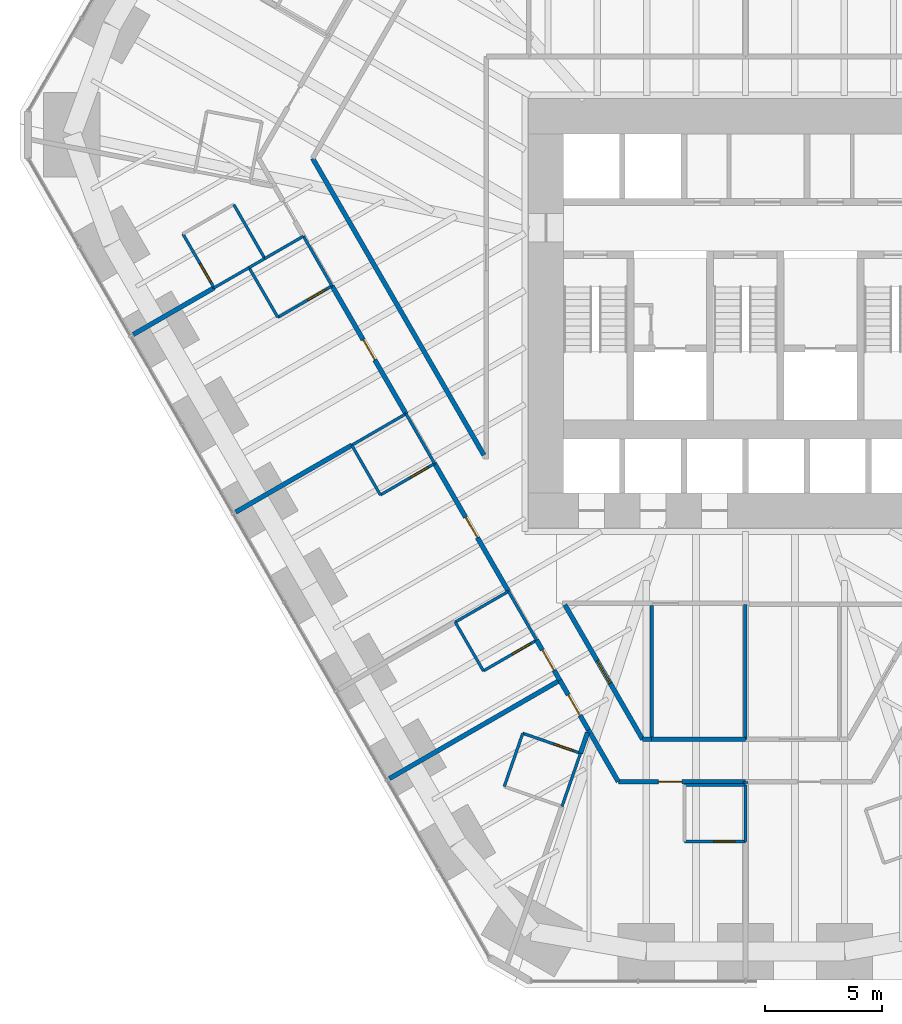
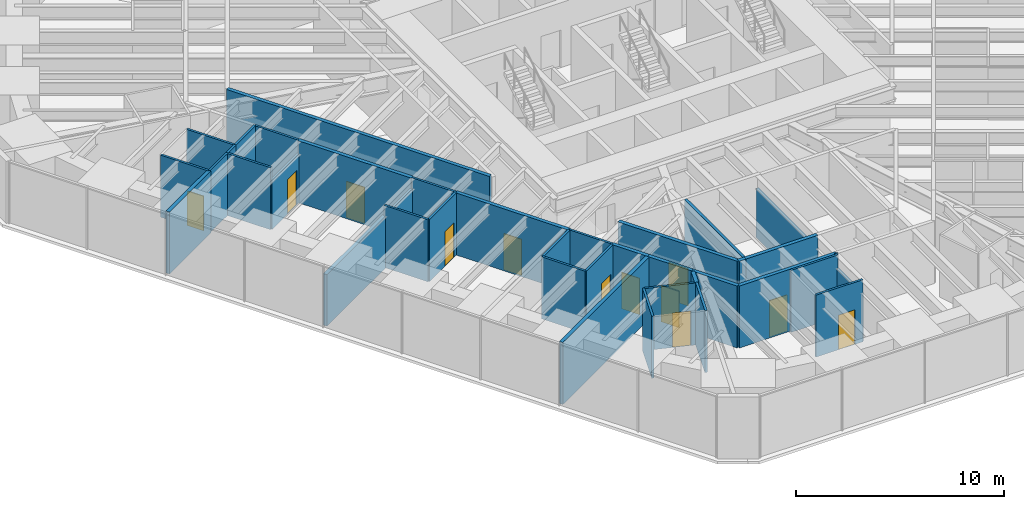
# One storey, part 11 of 17: 39 walls, 12 doors, 12 openings.
"""IFC4 building model written with IfcOpenShell, lengths in metres."""

from ifc_helpers import new_model, si_unit, direction, frame, frame_2d, origin, place, context, subcontext, project, spatial, rectangle, extrude, material, layer, layer_set, type_object, element, fill, save


model = new_model("IFC4")

# Units and contexts
model_context = context("Model", 3, precision=1e-05, world=origin(), true_north=direction((0.0, 1.0)))
body_context = subcontext(model_context, "Body", "Model", "MODEL_VIEW")
ifc_project = project(units=[si_unit("LENGTHUNIT", "METRE"), si_unit("AREAUNIT", "SQUARE_METRE"), si_unit("VOLUMEUNIT", "CUBIC_METRE"), si_unit("PLANEANGLEUNIT", "RADIAN"), si_unit("MASSUNIT", "GRAM", prefix="KILO")], contexts=[model_context])

# Site, building, storey
site_placement = place(None, origin())
site = spatial("IfcSite", under=ifc_project, at=site_placement, CompositionType="ELEMENT")
building_placement = place(site_placement, origin())
building = spatial("IfcBuilding", under=site, at=building_placement, Name="Sandreach Pilgrim Tower", CompositionType="ELEMENT")
storey_placement = place(building_placement, frame((0.0, 0.0, 53.39990234375)))
storey = spatial("IfcBuildingStorey", under=building, at=storey_placement, Name="L12", CompositionType="ELEMENT", Elevation=53.39990234375)

# Walls
ifc_material_1 = material(Name="Gypsum board on steel studs", Category="steel")
ifc_layer_1 = layer(ifc_material_1, 0.14990234375)
ifc_layer_set_1 = layer_set([ifc_layer_1], Name="Back of house wall 150")
wall_type_1 = type_object("IfcWallType", Name="Back of house wall 150", PredefinedType="PARTITIONING", material=ifc_layer_set_1)
wall_1_placement = place(storey_placement, frame((-4.0, -14.0, 0.0), z_axis=(0.0, 0.0, 1.0), x_axis=(0.0, -1.0, 0.0)))
element("IfcWall", 1, at=wall_1_placement, inside=storey, type_object=wall_type_1, Name="Back of house wall L12-067", PredefinedType="PARTITIONING", context=body_context, shape_type="SweptSolid", body=[
    extrude(rectangle(XDim=5.7099609375, YDim=0.14990234375, at=frame_2d((2.85498046875, 0.0))), origin(), (0.0, 0.0, 1.0), 3.64013671875),
])
wall_2_placement = place(storey_placement, frame((0.0, -13.949951171875, 0.0), z_axis=(0.0, 0.0, 1.0), x_axis=(0.0, -1.0, 0.0)))
element("IfcWall", 2, at=wall_2_placement, inside=storey, type_object=wall_type_1, Name="Back of house wall L12-078", PredefinedType="PARTITIONING", context=body_context, shape_type="SweptSolid", body=[
    extrude(rectangle(XDim=5.760009765625, YDim=0.14990234375, at=frame_2d((2.8798828125, 0.0))), origin(), (0.0, 0.0, 1.0), 2.8603515625),
])

# Wall, opening, door
ifc_material_2 = material(Name="Moisture-resistant gypsum board on steel studs", Category="steel")
ifc_layer_2 = layer(ifc_material_2, 0.1201171875)
ifc_layer_set_2 = layer_set([ifc_layer_2], Name="Bathroom partition 120")
wall_type_2 = type_object("IfcWallType", Name="Bathroom partition 120", PredefinedType="PARTITIONING", material=ifc_layer_set_2)
wall_3_placement = place(storey_placement, frame((-23.97998046875, 1.840087890625, 0.0), z_axis=(0.0, 0.0, 1.0), x_axis=(0.500605174168, -0.865675724273, 0.0)))
wall_3 = element("IfcWall", 3, at=wall_3_placement, inside=storey, type_object=wall_type_2, Name="Bathroom partition L12-004", PredefinedType="PARTITIONING", context=body_context, shape_type="SweptSolid", body=[
    extrude(rectangle(XDim=2.656982421875, YDim=0.1201171875, at=frame_2d((1.32861328125, 0.0))), origin(), (0.0, 0.0, 1.0), 3.64013671875),
])
opening_1_placement = place(wall_3_placement, frame((1.456787109375, 0.0, 0.0)))
opening_1 = element("IfcOpeningElement", 4, at=opening_1_placement, cuts=wall_3, Name="Opening D09-18B", PredefinedType="OPENING", context=body_context, shape_type="SweptSolid", body=[
    extrude(rectangle(XDim=0.89990234375, YDim=2.030029296875, at=frame_2d((0.449951171875, 1.01513671875))), frame((0.0, 0.06005859375, 0.0), z_axis=(0.0, -1.0, 0.0), x_axis=(1.0, 0.0, 0.0)), (0.0, 0.0, 1.0), 0.1201171875),
])
ifc_material_3 = material(Name="Timber door, steel frame", Category="steel")
door_type_1 = type_object("IfcDoorType", Name="Bathroom door", OperationType="SINGLE_SWING_LEFT", PredefinedType="DOOR", material=ifc_material_3)
door_1_placement = place(opening_1_placement, origin())
door_1 = element("IfcDoor", 5, at=door_1_placement, inside=storey, type_object=door_type_1, Name="Door 1218B", OperationType="SINGLE_SWING_RIGHT", OverallHeight=2.030029296875, OverallWidth=0.89990234375, PredefinedType="DOOR", context=body_context, shape_type="SweptSolid", body=[
    extrude(rectangle(XDim=0.89990234375, YDim=2.030029296875, at=frame_2d((0.449951171875, 1.01513671875))), frame((0.0, 0.02490234375, 0.0), z_axis=(0.0, -1.0, 0.0), x_axis=(1.0, 0.0, 0.0)), (0.0, 0.0, 1.0), 0.050048828125),
])
fill(opening_1, door_1)

# Walls
wall_4_placement = place(storey_placement, frame((-22.64990234375, -0.460205078125, 0.0), z_axis=(0.0, 0.0, 1.0), x_axis=(0.866060346521, 0.499939472521, 0.0)))
element("IfcWall", 6, at=wall_4_placement, inside=storey, type_object=wall_type_2, Name="Bathroom partition L12-007", PredefinedType="PARTITIONING", context=body_context, shape_type="SweptSolid", body=[
    extrude(rectangle(XDim=1.720458984375, YDim=0.1201171875, at=frame_2d((0.8603515625, 0.0))), origin(), (0.0, 0.0, 1.0), 3.64013671875),
])
wall_5_placement = place(storey_placement, frame((-21.159912109375, 0.39990234375, 0.0), z_axis=(0.0, 0.0, 1.0), x_axis=(0.865907519724, 0.500204125617, 0.0)))
element("IfcWall", 7, at=wall_5_placement, inside=storey, type_object=wall_type_2, Name="Bathroom partition L12-010", PredefinedType="PARTITIONING", context=body_context, shape_type="SweptSolid", body=[
    extrude(rectangle(XDim=0.775146484375, YDim=0.1201171875, at=frame_2d((0.3876953125, 0.0))), origin(), (0.0, 0.0, 1.0), 3.64013671875),
])
wall_6_placement = place(storey_placement, frame((-21.159912109375, 0.39990234375, 0.0), z_axis=(0.0, 0.0, 1.0), x_axis=(0.501856726365, -0.86495076519, 0.0)))
element("IfcWall", 8, at=wall_6_placement, inside=storey, type_object=wall_type_2, Name="Bathroom partition L12-011", PredefinedType="PARTITIONING", context=body_context, shape_type="SweptSolid", body=[
    extrude(rectangle(XDim=2.450927734375, YDim=0.1201171875, at=frame_2d((1.2255859375, 0.0))), origin(), (0.0, 0.0, 1.0), 3.64013671875),
])
wall_7_placement = place(storey_placement, frame((-20.489990234375, 0.7900390625, 0.0), z_axis=(0.0, 0.0, 1.0), x_axis=(-0.497773911185, 0.867306827682, 0.0)))
element("IfcWall", 9, at=wall_7_placement, inside=storey, type_object=wall_type_2, Name="Bathroom partition L12-017", PredefinedType="PARTITIONING", context=body_context, shape_type="SweptSolid", body=[
    extrude(rectangle(XDim=2.65185546875, YDim=0.1201171875, at=frame_2d((1.325927734375, 0.0))), origin(), (0.0, 0.0, 1.0), 3.64013671875),
])
wall_8_placement = place(storey_placement, frame((-20.48876953125, 0.78759765625, 0.0), z_axis=(0.0, 0.0, 1.0), x_axis=(0.865905802456, 0.500207098383, 0.0)))
element("IfcWall", 10, at=wall_8_placement, inside=storey, type_object=wall_type_2, Name="Bathroom partition L12-018", PredefinedType="PARTITIONING", context=body_context, shape_type="SweptSolid", body=[
    extrude(rectangle(XDim=1.904052734375, YDim=0.1201171875, at=frame_2d((0.9521484375, 0.0))), origin(), (0.0, 0.0, 1.0), 3.64013671875),
])

# Wall, opening, door
wall_9_placement = place(storey_placement, frame((-19.929931640625, -1.719970703125, 0.0), z_axis=(0.0, 0.0, 1.0), x_axis=(0.865006586495, 0.501760505939, 0.0)))
wall_9 = element("IfcWall", 11, at=wall_9_placement, inside=storey, type_object=wall_type_2, Name="Bathroom partition L12-022", PredefinedType="PARTITIONING", context=body_context, shape_type="SweptSolid", body=[
    extrude(rectangle(XDim=2.670166015625, YDim=0.1201171875, at=frame_2d((1.3349609375, 0.0))), origin(), (0.0, 0.0, 1.0), 2.878173828125),
])
opening_2_placement = place(wall_9_placement, frame((1.470458984375, 0.0, 0.0)))
opening_2 = element("IfcOpeningElement", 12, at=opening_2_placement, cuts=wall_9, Name="Opening D09-17B", PredefinedType="OPENING", context=body_context, shape_type="SweptSolid", body=[
    extrude(rectangle(XDim=0.89990234375, YDim=2.030029296875, at=frame_2d((0.449951171875, 1.01513671875))), frame((0.0, 0.06005859375, 0.0), z_axis=(0.0, -1.0, 0.0), x_axis=(1.0, 0.0, 0.0)), (0.0, 0.0, 1.0), 0.1201171875),
])
door_2_placement = place(opening_2_placement, origin())
door_2 = element("IfcDoor", 13, at=door_2_placement, inside=storey, type_object=door_type_1, Name="Door 1217B", OperationType="SINGLE_SWING_RIGHT", OverallHeight=2.030029296875, OverallWidth=0.89990234375, PredefinedType="DOOR", context=body_context, shape_type="SweptSolid", body=[
    extrude(rectangle(XDim=0.89990234375, YDim=2.030029296875, at=frame_2d((0.449951171875, 1.01513671875))), frame((0.0, 0.02490234375, 0.0), z_axis=(0.0, -1.0, 0.0), x_axis=(1.0, 0.0, 0.0)), (0.0, 0.0, 1.0), 0.050048828125),
])
fill(opening_2, door_2)

# Walls
for number, where, z_axis, x_axis, name in (
    (14, (-18.840087890625, 1.739990234375, 0.0), (0.0, 0.0, 1.0), (0.498555508765, -0.866857776501, 0.0), "Bathroom partition L12-023"),
    (15, (-16.780029296875, -7.169921875, 0.0), (0.0, 0.0, 1.0), (0.498748634132, -0.866746675766, 0.0), "Bathroom partition L12-031"),
):
    element("IfcWall", number, at=place(storey_placement, frame(where, z_axis=z_axis, x_axis=x_axis)), inside=storey, type_object=wall_type_2, Name=name, PredefinedType="PARTITIONING", context=body_context, shape_type="SweptSolid", body=[
        extrude(rectangle(XDim=2.446044921875, YDim=0.1201171875, at=frame_2d((1.22314453125, 0.0))), origin(), (0.0, 0.0, 1.0), 3.64013671875),
    ])
wall_10_placement = place(storey_placement, frame((-16.780029296875, -7.169921875, 0.0), z_axis=(0.0, 0.0, 1.0), x_axis=(0.865029602175, 0.501720826119, 0.0)))
element("IfcWall", 16, at=wall_10_placement, inside=storey, type_object=wall_type_2, Name="Bathroom partition L12-032", PredefinedType="PARTITIONING", context=body_context, shape_type="SweptSolid", body=[
    extrude(rectangle(XDim=2.67041015625, YDim=0.1201171875, at=frame_2d((1.335205078125, 0.0))), origin(), (0.0, 0.0, 1.0), 3.02294921875),
])

# Wall, opening, door
wall_11_placement = place(storey_placement, frame((-15.56005859375, -9.2900390625, 0.0), z_axis=(0.0, 0.0, 1.0), x_axis=(0.86498992408, 0.501789229896, 0.0)))
wall_11 = element("IfcWall", 17, at=wall_11_placement, inside=storey, type_object=wall_type_2, Name="Bathroom partition L12-034", PredefinedType="PARTITIONING", context=body_context, shape_type="SweptSolid", body=[
    extrude(rectangle(XDim=2.670654296875, YDim=0.1201171875, at=frame_2d((1.33544921875, 0.0))), origin(), (0.0, 0.0, 1.0), 3.64013671875),
])
opening_3_placement = place(wall_11_placement, frame((1.470458984375, 0.0, 0.0)))
opening_3 = element("IfcOpeningElement", 18, at=opening_3_placement, cuts=wall_11, Name="Opening D09-16B", PredefinedType="OPENING", context=body_context, shape_type="SweptSolid", body=[
    extrude(rectangle(XDim=0.89990234375, YDim=2.030029296875, at=frame_2d((0.449951171875, 1.01513671875))), frame((0.0, 0.06005859375, 0.0), z_axis=(0.0, -1.0, 0.0), x_axis=(1.0, 0.0, 0.0)), (0.0, 0.0, 1.0), 0.1201171875),
])
door_3_placement = place(opening_3_placement, origin())
door_3 = element("IfcDoor", 19, at=door_3_placement, inside=storey, type_object=door_type_1, Name="Door 1216B", OperationType="SINGLE_SWING_RIGHT", OverallHeight=2.030029296875, OverallWidth=0.89990234375, PredefinedType="DOOR", context=body_context, shape_type="SweptSolid", body=[
    extrude(rectangle(XDim=0.89990234375, YDim=2.030029296875, at=frame_2d((0.449951171875, 1.01513671875))), frame((0.0, 0.02490234375, 0.0), z_axis=(0.0, -1.0, 0.0), x_axis=(1.0, 0.0, 0.0)), (0.0, 0.0, 1.0), 0.050048828125),
])
fill(opening_3, door_3)

# Walls
wall_12_placement = place(storey_placement, frame((-14.469970703125, -5.830078125, 0.0), z_axis=(0.0, 0.0, 1.0), x_axis=(0.498673646582, -0.86678982124, 0.0)))
element("IfcWall", 20, at=wall_12_placement, inside=storey, type_object=wall_type_2, Name="Bathroom partition L12-036", PredefinedType="PARTITIONING", context=body_context, shape_type="SweptSolid", body=[
    extrude(rectangle(XDim=2.446044921875, YDim=0.1201171875, at=frame_2d((1.22314453125, 0.0))), origin(), (0.0, 0.0, 1.0), 3.64013671875),
])
wall_13_placement = place(storey_placement, frame((-12.3701171875, -14.7099609375, 0.0), z_axis=(0.0, 0.0, 1.0), x_axis=(0.499769390944, -0.866158505053, 0.0)))
element("IfcWall", 21, at=wall_13_placement, inside=storey, type_object=wall_type_2, Name="Bathroom partition L12-042", PredefinedType="PARTITIONING", context=body_context, shape_type="SweptSolid", body=[
    extrude(rectangle(XDim=2.401611328125, YDim=0.1201171875, at=frame_2d((1.20068359375, 0.0))), origin(), (0.0, 0.0, 1.0), 3.64013671875),
])
wall_14_placement = place(storey_placement, frame((-12.3701171875, -14.7099609375, 0.0), z_axis=(0.0, 0.0, 1.0), x_axis=(0.866114241029, 0.499846097802, 0.0)))
element("IfcWall", 22, at=wall_14_placement, inside=storey, type_object=wall_type_2, Name="Bathroom partition L12-043", PredefinedType="PARTITIONING", context=body_context, shape_type="SweptSolid", body=[
    extrude(rectangle(XDim=2.620849609375, YDim=0.1201171875, at=frame_2d((1.310546875, 0.0))), origin(), (0.0, 0.0, 1.0), 3.64013671875),
])

# Wall, opening, door
wall_15_placement = place(storey_placement, frame((-11.169921875, -16.7900390625, 0.0), z_axis=(0.0, 0.0, 1.0), x_axis=(0.866114241029, 0.499846097802, 0.0)))
wall_15 = element("IfcWall", 23, at=wall_15_placement, inside=storey, type_object=wall_type_2, Name="Bathroom partition L12-045", PredefinedType="PARTITIONING", context=body_context, shape_type="SweptSolid", body=[
    extrude(rectangle(XDim=2.620849609375, YDim=0.1201171875, at=frame_2d((1.310546875, 0.0))), origin(), (0.0, 0.0, 1.0), 3.64013671875),
])
opening_4_placement = place(wall_15_placement, frame((1.4208984375, 0.0, 0.0)))
opening_4 = element("IfcOpeningElement", 24, at=opening_4_placement, cuts=wall_15, Name="Opening D09-15B", PredefinedType="OPENING", context=body_context, shape_type="SweptSolid", body=[
    extrude(rectangle(XDim=0.89990234375, YDim=2.030029296875, at=frame_2d((0.449951171875, 1.01513671875))), frame((0.0, 0.06005859375, 0.0), z_axis=(0.0, -1.0, 0.0), x_axis=(1.0, 0.0, 0.0)), (0.0, 0.0, 1.0), 0.1201171875),
])
door_4_placement = place(opening_4_placement, origin())
door_4 = element("IfcDoor", 25, at=door_4_placement, inside=storey, type_object=door_type_1, Name="Door 1215B", OperationType="SINGLE_SWING_RIGHT", OverallHeight=2.030029296875, OverallWidth=0.89990234375, PredefinedType="DOOR", context=body_context, shape_type="SweptSolid", body=[
    extrude(rectangle(XDim=0.89990234375, YDim=2.030029296875, at=frame_2d((0.449951171875, 1.01513671875))), frame((0.0, 0.02490234375, 0.0), z_axis=(0.0, -1.0, 0.0), x_axis=(1.0, 0.0, 0.0)), (0.0, 0.0, 1.0), 0.050048828125),
])
fill(opening_4, door_4)

# Walls
wall_16_placement = place(storey_placement, frame((-10.10009765625, -13.39990234375, 0.0), z_axis=(0.0, 0.0, 1.0), x_axis=(0.499769390944, -0.866158505053, 0.0)))
element("IfcWall", 26, at=wall_16_placement, inside=storey, type_object=wall_type_2, Name="Bathroom partition L12-051", PredefinedType="PARTITIONING", context=body_context, shape_type="SweptSolid", body=[
    extrude(rectangle(XDim=2.401611328125, YDim=0.1201171875, at=frame_2d((1.20068359375, 0.0))), origin(), (0.0, 0.0, 1.0), 3.64013671875),
])
for number, where, z_axis, x_axis, name in (
    (27, (-9.489990234375, -19.449951171875, 0.0), (0.0, 0.0, 1.0), (-0.328693963496, -0.944436487203, 0.0), "Bathroom partition L12-052"),
    (28, (-7.820068359375, -22.570068359375, 0.0), (0.0, 0.0, 1.0), (0.328693963496, 0.944436487203, 0.0), "Bathroom partition L12-060"),
):
    element("IfcWall", number, at=place(storey_placement, frame(where, z_axis=z_axis, x_axis=x_axis)), inside=storey, type_object=wall_type_2, Name=name, PredefinedType="PARTITIONING", context=body_context, shape_type="SweptSolid", body=[
        extrude(rectangle(XDim=2.403564453125, YDim=0.1201171875, at=frame_2d((1.20166015625, 0.0))), origin(), (0.0, 0.0, 1.0), 3.64013671875),
    ])

# Wall, opening, door
wall_17_placement = place(storey_placement, frame((-7.030029296875, -20.300048828125, 0.0), z_axis=(0.0, 0.0, 1.0), x_axis=(-0.94515546045, 0.326620813149, 0.0)))
wall_17 = element("IfcWall", 29, at=wall_17_placement, inside=storey, type_object=wall_type_2, Name="Bathroom partition L12-061", PredefinedType="PARTITIONING", context=body_context, shape_type="SweptSolid", body=[
    extrude(rectangle(XDim=2.602783203125, YDim=0.1201171875, at=frame_2d((1.30126953125, 0.0))), origin(), (0.0, 0.0, 1.0), 3.64013671875),
])
opening_5_placement = place(wall_17_placement, frame((0.300048828125, 0.0, 0.0)))
opening_5 = element("IfcOpeningElement", 30, at=opening_5_placement, cuts=wall_17, Name="Opening D09-14B", PredefinedType="OPENING", context=body_context, shape_type="SweptSolid", body=[
    extrude(rectangle(XDim=0.89990234375, YDim=2.030029296875, at=frame_2d((0.449951171875, 1.01513671875))), frame((0.0, 0.06005859375, 0.0), z_axis=(0.0, -1.0, 0.0), x_axis=(1.0, 0.0, 0.0)), (0.0, 0.0, 1.0), 0.1201171875),
])
door_5_placement = place(opening_5_placement, origin())
door_5 = element("IfcDoor", 31, at=door_5_placement, inside=storey, type_object=door_type_1, Name="Door 1214B", OperationType="SINGLE_SWING_LEFT", OverallHeight=2.030029296875, OverallWidth=0.89990234375, PredefinedType="DOOR", context=body_context, shape_type="SweptSolid", body=[
    extrude(rectangle(XDim=0.89990234375, YDim=2.030029296875, at=frame_2d((0.449951171875, 1.01513671875))), frame((0.0, 0.02490234375, 0.0), z_axis=(0.0, -1.0, 0.0), x_axis=(1.0, 0.0, 0.0)), (0.0, 0.0, 1.0), 0.050048828125),
])
fill(opening_5, door_5)

wall_18_placement = place(storey_placement, frame((-2.60009765625, -24.06005859375, 0.0), z_axis=(0.0, 0.0, 1.0), x_axis=(1.0, 0.0, 0.0)))
wall_18 = element("IfcWall", 32, at=wall_18_placement, inside=storey, type_object=wall_type_2, Name="Bathroom partition L12-068", PredefinedType="PARTITIONING", context=body_context, shape_type="SweptSolid", body=[
    extrude(rectangle(XDim=2.60009765625, YDim=0.1201171875, at=frame_2d((1.300048828125, 0.0))), origin(), (0.0, 0.0, 1.0), 3.64013671875),
])
opening_6_placement = place(wall_18_placement, frame((1.25, 0.0, 0.0)))
opening_6 = element("IfcOpeningElement", 33, at=opening_6_placement, cuts=wall_18, Name="Opening D09-13B", PredefinedType="OPENING", context=body_context, shape_type="SweptSolid", body=[
    extrude(rectangle(XDim=0.89990234375, YDim=2.030029296875, at=frame_2d((0.449951171875, 1.01513671875))), frame((0.0, 0.06005859375, 0.0), z_axis=(0.0, -1.0, 0.0), x_axis=(1.0, 0.0, 0.0)), (0.0, 0.0, 1.0), 0.1201171875),
])
door_6_placement = place(opening_6_placement, origin())
door_6 = element("IfcDoor", 34, at=door_6_placement, inside=storey, type_object=door_type_1, Name="Door 1213B", OperationType="SINGLE_SWING_RIGHT", OverallHeight=2.030029296875, OverallWidth=0.89990234375, PredefinedType="DOOR", context=body_context, shape_type="SweptSolid", body=[
    extrude(rectangle(XDim=0.89990234375, YDim=2.030029296875, at=frame_2d((0.449951171875, 1.01513671875))), frame((0.0, 0.02490234375, 0.0), z_axis=(0.0, -1.0, 0.0), x_axis=(1.0, 0.0, 0.0)), (0.0, 0.0, 1.0), 0.050048828125),
])
fill(opening_6, door_6)

# Walls
wall_19_placement = place(storey_placement, frame((0.0, -24.06005859375, 0.0), z_axis=(0.0, 0.0, 1.0), x_axis=(0.0, 1.0, 0.0)))
element("IfcWall", 35, at=wall_19_placement, inside=storey, type_object=wall_type_2, Name="Bathroom partition L12-073", PredefinedType="PARTITIONING", context=body_context, shape_type="SweptSolid", body=[
    extrude(rectangle(XDim=2.400146484375, YDim=0.1201171875, at=frame_2d((1.2001953125, 0.0))), origin(), (0.0, 0.0, 1.0), 2.8603515625),
])
wall_20_placement = place(storey_placement, frame((0.0, -21.659912109375, 0.0), z_axis=(0.0, 0.0, 1.0), x_axis=(-1.0, 0.0, 0.0)))
element("IfcWall", 36, at=wall_20_placement, inside=storey, type_object=wall_type_2, Name="Bathroom partition L12-074", PredefinedType="PARTITIONING", context=body_context, shape_type="SweptSolid", body=[
    extrude(rectangle(XDim=2.60009765625, YDim=0.1201171875, at=frame_2d((1.300048828125, 0.0))), origin(), (0.0, 0.0, 1.0), 3.64013671875),
])

# Wall, opening, door
ifc_material_4 = material(Name="Gypsum board on steel studs, two layers each side", Category="steel")
ifc_layer_3 = layer(ifc_material_4, 0.199951171875)
ifc_layer_set_3 = layer_set([ifc_layer_3], Name="Corridor wall 200")
wall_type_3 = type_object("IfcWallType", Name="Corridor wall 200", PredefinedType="PARTITIONING", material=ifc_layer_set_3)
wall_21_placement = place(storey_placement, frame((-17.62060546875, -0.38037109375, 0.0), z_axis=(0.0, 0.0, 1.0), x_axis=(0.500505674396, -0.865733255627, 0.0)))
wall_21 = element("IfcWall", 37, at=wall_21_placement, inside=storey, type_object=wall_type_3, Name="Corridor wall L12-029", PredefinedType="PARTITIONING", context=body_context, shape_type="SweptSolid", body=[
    extrude(rectangle(XDim=6.294921875, YDim=0.199951171875, at=frame_2d((3.1474609375, 0.0))), origin(), (0.0, 0.0, 1.0), 3.64013671875),
])
opening_7_placement = place(wall_21_placement, frame((2.6474609375, 0.0, 0.0)))
opening_7 = element("IfcOpeningElement", 38, at=opening_7_placement, cuts=wall_21, Name="Opening D10-17", PredefinedType="OPENING", context=body_context, shape_type="SweptSolid", body=[
    extrude(rectangle(XDim=1.0, YDim=2.1298828125, at=frame_2d((0.5, 1.06494140625))), frame((0.0, 0.10009765625, 0.0), z_axis=(0.0, -1.0, 0.0), x_axis=(1.0, 0.0, 0.0)), (0.0, 0.0, 1.0), 0.199951171875),
])
ifc_material_5 = material(Name="Steel door and frame", Category="steel")
door_type_2 = type_object("IfcDoorType", Name="Guest room entry door", OperationType="SINGLE_SWING_LEFT", PredefinedType="DOOR", material=ifc_material_5)
door_7_placement = place(opening_7_placement, origin())
door_7 = element("IfcDoor", 39, at=door_7_placement, inside=storey, type_object=door_type_2, Name="Door 1217", OperationType="SINGLE_SWING_LEFT", OverallHeight=2.1298828125, OverallWidth=1.0, PredefinedType="DOOR", context=body_context, shape_type="SweptSolid", body=[
    extrude(rectangle(XDim=1.0, YDim=2.1298828125, at=frame_2d((0.5, 1.06494140625))), frame((0.0, 0.02490234375, 0.0), z_axis=(0.0, -1.0, 0.0), x_axis=(1.0, 0.0, 0.0)), (0.0, 0.0, 1.0), 0.050048828125),
])
fill(opening_7, door_7)

wall_22_placement = place(storey_placement, frame((-13.250244140625, -7.9501953125, 0.0), z_axis=(0.0, 0.0, 1.0), x_axis=(0.500447534468, -0.865766865412, 0.0)))
wall_22 = element("IfcWall", 40, at=wall_22_placement, inside=storey, type_object=wall_type_3, Name="Corridor wall L12-039", PredefinedType="PARTITIONING", context=body_context, shape_type="SweptSolid", body=[
    extrude(rectangle(XDim=6.294677734375, YDim=0.199951171875, at=frame_2d((3.1474609375, 0.0))), origin(), (0.0, 0.0, 1.0), 3.64013671875),
])
opening_8_placement = place(wall_22_placement, frame((2.6474609375, 0.0, 0.0)))
opening_8 = element("IfcOpeningElement", 41, at=opening_8_placement, cuts=wall_22, Name="Opening D10-16", PredefinedType="OPENING", context=body_context, shape_type="SweptSolid", body=[
    extrude(rectangle(XDim=1.0, YDim=2.1298828125, at=frame_2d((0.5, 1.06494140625))), frame((0.0, 0.10009765625, 0.0), z_axis=(0.0, -1.0, 0.0), x_axis=(1.0, 0.0, 0.0)), (0.0, 0.0, 1.0), 0.199951171875),
])
door_8_placement = place(opening_8_placement, origin())
door_8 = element("IfcDoor", 42, at=door_8_placement, inside=storey, type_object=door_type_2, Name="Door 1216", OperationType="SINGLE_SWING_LEFT", OverallHeight=2.1298828125, OverallWidth=1.0, PredefinedType="DOOR", context=body_context, shape_type="SweptSolid", body=[
    extrude(rectangle(XDim=1.0, YDim=2.1298828125, at=frame_2d((0.5, 1.06494140625))), frame((0.0, 0.02490234375, 0.0), z_axis=(0.0, -1.0, 0.0), x_axis=(1.0, 0.0, 0.0)), (0.0, 0.0, 1.0), 0.050048828125),
])
fill(opening_8, door_8)

# Wall
wall_23_placement = place(storey_placement, frame((-11.1474609375, -7.591064453125, 0.0), z_axis=(0.0, 0.0, 1.0), x_axis=(-0.499915842114, 0.866073986911, 0.0)))
element("IfcWall", 43, at=wall_23_placement, inside=storey, type_object=wall_type_3, Name="Corridor wall L12-046", PredefinedType="PARTITIONING", context=body_context, shape_type="SweptSolid", body=[
    extrude(rectangle(XDim=14.607421875, YDim=0.199951171875, at=frame_2d((7.3037109375, 0.0))), origin(), (0.0, 0.0, 1.0), 3.64013671875),
])

# Wall, opening, door
wall_24_placement = place(storey_placement, frame((-8.89990234375, -15.47998046875, 0.0), z_axis=(0.0, 0.0, 1.0), x_axis=(0.501041141208, -0.865423465603, 0.0)))
wall_24 = element("IfcWall", 44, at=wall_24_placement, inside=storey, type_object=wall_type_3, Name="Corridor wall L12-058", PredefinedType="PARTITIONING", context=body_context, shape_type="SweptSolid", body=[
    extrude(rectangle(XDim=1.975830078125, YDim=0.199951171875, at=frame_2d((0.98779296875, 0.0))), origin(), (0.0, 0.0, 1.0), 3.64013671875),
])
opening_9_placement = place(wall_24_placement, frame((0.488037109375, 0.0, 0.0)))
opening_9 = element("IfcOpeningElement", 45, at=opening_9_placement, cuts=wall_24, Name="Opening D10-15", PredefinedType="OPENING", context=body_context, shape_type="SweptSolid", body=[
    extrude(rectangle(XDim=1.0, YDim=2.1298828125, at=frame_2d((0.5, 1.06494140625))), frame((0.0, 0.10009765625, 0.0), z_axis=(0.0, -1.0, 0.0), x_axis=(1.0, 0.0, 0.0)), (0.0, 0.0, 1.0), 0.199951171875),
])
door_9_placement = place(opening_9_placement, origin())
door_9 = element("IfcDoor", 46, at=door_9_placement, inside=storey, type_object=door_type_2, Name="Door 1215", OperationType="SINGLE_SWING_LEFT", OverallHeight=2.1298828125, OverallWidth=1.0, PredefinedType="DOOR", context=body_context, shape_type="SweptSolid", body=[
    extrude(rectangle(XDim=1.0, YDim=2.1298828125, at=frame_2d((0.5, 1.06494140625))), frame((0.0, 0.02490234375, 0.0), z_axis=(0.0, -1.0, 0.0), x_axis=(1.0, 0.0, 0.0)), (0.0, 0.0, 1.0), 0.050048828125),
])
fill(opening_9, door_9)

wall_25_placement = place(storey_placement, frame((-7.909912109375, -17.18994140625, 0.0), z_axis=(0.0, 0.0, 1.0), x_axis=(0.498748634132, -0.866746675766, 0.0)))
wall_25 = element("IfcWall", 47, at=wall_25_placement, inside=storey, type_object=wall_type_3, Name="Corridor wall L12-059", PredefinedType="PARTITIONING", context=body_context, shape_type="SweptSolid", body=[
    extrude(rectangle(XDim=2.446044921875, YDim=0.199951171875, at=frame_2d((1.22314453125, 0.0))), origin(), (0.0, 0.0, 1.0), 3.64013671875),
])
opening_10_placement = place(wall_25_placement, frame((0.722900390625, 0.0, 0.0)))
opening_10 = element("IfcOpeningElement", 48, at=opening_10_placement, cuts=wall_25, Name="Opening D10-14", PredefinedType="OPENING", context=body_context, shape_type="SweptSolid", body=[
    extrude(rectangle(XDim=1.0, YDim=2.1298828125, at=frame_2d((0.5, 1.06494140625))), frame((0.0, 0.10009765625, 0.0), z_axis=(0.0, -1.0, 0.0), x_axis=(1.0, 0.0, 0.0)), (0.0, 0.0, 1.0), 0.199951171875),
])
door_10_placement = place(opening_10_placement, origin())
door_10 = element("IfcDoor", 49, at=door_10_placement, inside=storey, type_object=door_type_2, Name="Door 1214", OperationType="SINGLE_SWING_LEFT", OverallHeight=2.1298828125, OverallWidth=1.0, PredefinedType="DOOR", context=body_context, shape_type="SweptSolid", body=[
    extrude(rectangle(XDim=1.0, YDim=2.1298828125, at=frame_2d((0.5, 1.06494140625))), frame((0.0, 0.02490234375, 0.0), z_axis=(0.0, -1.0, 0.0), x_axis=(1.0, 0.0, 0.0)), (0.0, 0.0, 1.0), 0.050048828125),
])
fill(opening_10, door_10)

# Wall
wall_26_placement = place(storey_placement, frame((-6.68994140625, -19.31005859375, 0.0), z_axis=(0.0, 0.0, 1.0), x_axis=(0.499963722229, -0.866046347752, 0.0)))
element("IfcWall", 50, at=wall_26_placement, inside=storey, type_object=wall_type_3, Name="Corridor wall L12-063", PredefinedType="PARTITIONING", context=body_context, shape_type="SweptSolid", body=[
    extrude(rectangle(XDim=2.540283203125, YDim=0.199951171875, at=frame_2d((1.27001953125, 0.0))), origin(), (0.0, 0.0, 1.0), 3.64013671875),
])

# Wall, opening, door
wall_27_placement = place(storey_placement, frame((-5.419921875, -21.510009765625, 0.0), z_axis=(0.0, 0.0, 1.0), x_axis=(1.0, 0.0, 0.0)))
wall_27 = element("IfcWall", 51, at=wall_27_placement, inside=storey, type_object=wall_type_3, Name="Corridor wall L12-064", PredefinedType="PARTITIONING", context=body_context, shape_type="SweptSolid", body=[
    extrude(rectangle(XDim=5.419921875, YDim=0.199951171875, at=frame_2d((2.7099609375, 0.0))), origin(), (0.0, 0.0, 1.0), 3.64013671875),
])
opening_11_placement = place(wall_27_placement, frame((1.7099609375, 0.0, 0.0)))
opening_11 = element("IfcOpeningElement", 52, at=opening_11_placement, cuts=wall_27, Name="Opening D10-13", PredefinedType="OPENING", context=body_context, shape_type="SweptSolid", body=[
    extrude(rectangle(XDim=1.0, YDim=2.1298828125, at=frame_2d((0.5, 1.06494140625))), frame((0.0, 0.10009765625, 0.0), z_axis=(0.0, -1.0, 0.0), x_axis=(1.0, 0.0, 0.0)), (0.0, 0.0, 1.0), 0.199951171875),
])
door_11_placement = place(opening_11_placement, origin())
door_11 = element("IfcDoor", 53, at=door_11_placement, inside=storey, type_object=door_type_2, Name="Door 1213", OperationType="SINGLE_SWING_LEFT", OverallHeight=2.1298828125, OverallWidth=1.0, PredefinedType="DOOR", context=body_context, shape_type="SweptSolid", body=[
    extrude(rectangle(XDim=1.0, YDim=2.1298828125, at=frame_2d((0.5, 1.06494140625))), frame((0.0, 0.02490234375, 0.0), z_axis=(0.0, -1.0, 0.0), x_axis=(1.0, 0.0, 0.0)), (0.0, 0.0, 1.0), 0.050048828125),
])
fill(opening_11, door_11)

wall_28_placement = place(storey_placement, frame((-4.3798828125, -19.7099609375, 0.0), z_axis=(0.0, 0.0, 1.0), x_axis=(-0.500523653757, 0.865722860984, 0.0)))
wall_28 = element("IfcWall", 54, at=wall_28_placement, inside=storey, type_object=wall_type_3, Name="Corridor wall L12-065", PredefinedType="PARTITIONING", context=body_context, shape_type="SweptSolid", body=[
    extrude(rectangle(XDim=6.62841796875, YDim=0.199951171875, at=frame_2d((3.314208984375, 0.0))), origin(), (0.0, 0.0, 1.0), 3.64013671875),
])
opening_12_placement = place(wall_28_placement, frame((2.76416015625, 0.0, 0.0)))
opening_12 = element("IfcOpeningElement", 55, at=opening_12_placement, cuts=wall_28, Name="Opening D11H-S1", PredefinedType="OPENING", context=body_context, shape_type="SweptSolid", body=[
    extrude(rectangle(XDim=1.10009765625, YDim=2.199951171875, at=frame_2d((0.550048828125, 1.10009765625))), frame((0.0, 0.10009765625, 0.0), z_axis=(0.0, -1.0, 0.0), x_axis=(1.0, 0.0, 0.0)), (0.0, 0.0, 1.0), 0.199951171875),
])
ifc_material_6 = material(Name="Steel door and frame", Category="steel")
door_type_3 = type_object("IfcDoorType", Name="Back of house door", OperationType="SINGLE_SWING_LEFT", PredefinedType="DOOR", material=ifc_material_6)
door_12_placement = place(opening_12_placement, origin())
door_12 = element("IfcDoor", 56, at=door_12_placement, inside=storey, type_object=door_type_3, Name="Door 12S1", OperationType="SINGLE_SWING_LEFT", OverallHeight=2.199951171875, OverallWidth=1.10009765625, PredefinedType="DOOR", context=body_context, shape_type="SweptSolid", body=[
    extrude(rectangle(XDim=1.10009765625, YDim=2.199951171875, at=frame_2d((0.550048828125, 1.10009765625))), frame((0.0, 0.02490234375, 0.0), z_axis=(0.0, -1.0, 0.0), x_axis=(1.0, 0.0, 0.0)), (0.0, 0.0, 1.0), 0.050048828125),
])
fill(opening_12, door_12)

# Walls
wall_29_placement = place(storey_placement, frame((-4.0, -19.7099609375, 0.0), z_axis=(0.0, 0.0, 1.0), x_axis=(-1.0, 0.0, 0.0)))
element("IfcWall", 57, at=wall_29_placement, inside=storey, type_object=wall_type_3, Name="Corridor wall L12-066", PredefinedType="PARTITIONING", context=body_context, shape_type="SweptSolid", body=[
    extrude(rectangle(XDim=0.3798828125, YDim=0.199951171875, at=frame_2d((0.18994140625, 0.0))), origin(), (0.0, 0.0, 1.0), 3.64013671875),
])
wall_30_placement = place(storey_placement, frame((0.0, -19.7099609375, 0.0), z_axis=(0.0, 0.0, 1.0), x_axis=(-1.0, 0.0, 0.0)))
element("IfcWall", 58, at=wall_30_placement, inside=storey, type_object=wall_type_3, Name="Corridor wall L12-077", PredefinedType="PARTITIONING", context=body_context, shape_type="SweptSolid", body=[
    extrude(rectangle(XDim=4.0, YDim=0.199951171875, at=frame_2d((2.0, 0.0))), origin(), (0.0, 0.0, 1.0), 3.64013671875),
])
ifc_material_7 = material(Name="Double steel stud acoustic wall, gypsum board", Category="steel")
ifc_layer_4 = layer(ifc_material_7, 0.199951171875)
ifc_layer_set_4 = layer_set([ifc_layer_4], Name="Party wall 200")
wall_type_4 = type_object("IfcWallType", Name="Party wall 200", PredefinedType="PARTITIONING", material=ifc_layer_set_4)
wall_31_placement = place(storey_placement, frame((-26.09619140625, -2.449951171875, 0.0), z_axis=(0.0, 0.0, 1.0), x_axis=(0.866022120267, 0.500005687176, 0.0)))
element("IfcWall", 59, at=wall_31_placement, inside=storey, type_object=wall_type_4, Name="Party wall L12-002", PredefinedType="PARTITIONING", context=body_context, shape_type="SweptSolid", body=[
    extrude(rectangle(XDim=3.9794921875, YDim=0.199951171875, at=frame_2d((1.98974609375, 0.0))), origin(), (0.0, 0.0, 1.0), 3.64013671875),
])
wall_32_placement = place(storey_placement, frame((-21.72607421875, -10.02001953125, 0.0), z_axis=(0.0, 0.0, 1.0), x_axis=(0.866442508333, 0.499276856818, 0.0)))
element("IfcWall", 60, at=wall_32_placement, inside=storey, type_object=wall_type_4, Name="Party wall L12-009", PredefinedType="PARTITIONING", context=body_context, shape_type="SweptSolid", body=[
    extrude(rectangle(XDim=5.70849609375, YDim=0.199951171875, at=frame_2d((2.854248046875, 0.0))), origin(), (0.0, 0.0, 1.0), 3.02294921875),
])
wall_33_placement = place(storey_placement, frame((-15.176025390625, -21.380126953125, 0.0), z_axis=(0.0, 0.0, 1.0), x_axis=(0.866276837306, 0.49956425127, 0.0)))
element("IfcWall", 61, at=wall_33_placement, inside=storey, type_object=wall_type_4, Name="Party wall L12-035", PredefinedType="PARTITIONING", context=body_context, shape_type="SweptSolid", body=[
    extrude(rectangle(XDim=8.37255859375, YDim=0.199951171875, at=frame_2d((4.186279296875, 0.0))), origin(), (0.0, 0.0, 1.0), 3.64013671875),
])
wall_34_placement = place(storey_placement, frame((-7.030029296875, -20.300048828125, 0.0), z_axis=(0.0, 0.0, 1.0), x_axis=(0.324737408014, 0.94580421644, 0.0)))
element("IfcWall", 62, at=wall_34_placement, inside=storey, type_object=wall_type_4, Name="Party wall L12-062", PredefinedType="PARTITIONING", context=body_context, shape_type="SweptSolid", body=[
    extrude(rectangle(XDim=0.936767578125, YDim=0.199951171875, at=frame_2d((0.46826171875, 0.0))), origin(), (0.0, 0.0, 1.0), 3.64013671875),
])
wall_35_placement = place(storey_placement, frame((0.0, -21.60009765625, 0.0), z_axis=(0.0, 0.0, 1.0), x_axis=(0.0, 1.0, 0.0)))
element("IfcWall", 63, at=wall_35_placement, inside=storey, type_object=wall_type_4, Name="Party wall L12-075", PredefinedType="PARTITIONING", context=body_context, shape_type="SweptSolid", body=[
    extrude(rectangle(XDim=0.090087890625, YDim=0.199951171875, at=frame_2d((0.044921875, 0.0))), origin(), (0.0, 0.0, 1.0), 3.64013671875),
])

save(model, "model.ifc")
